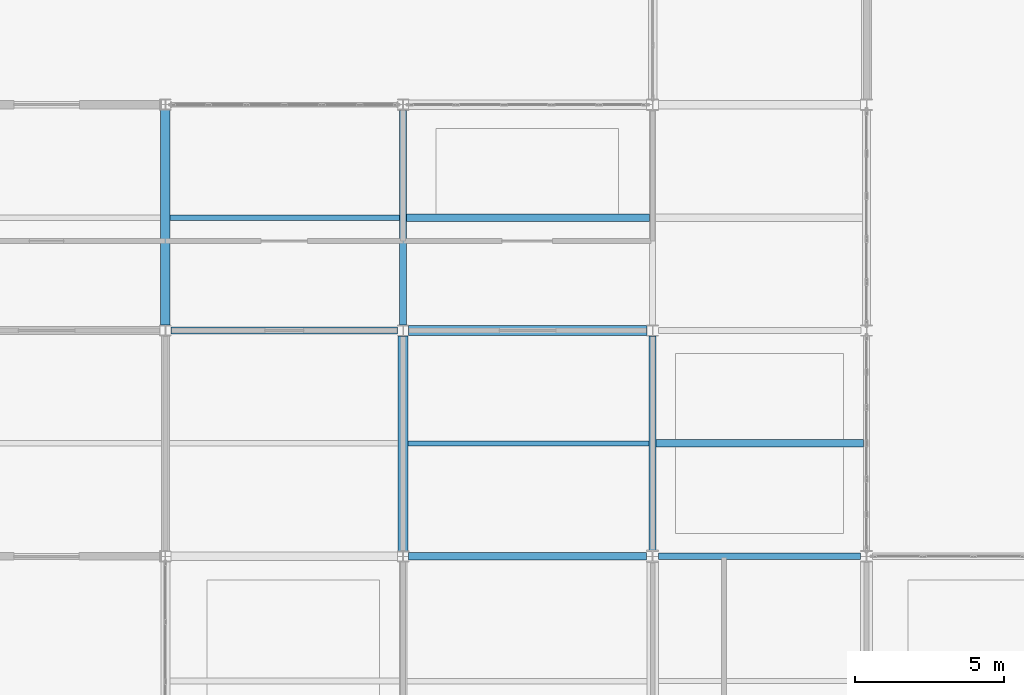
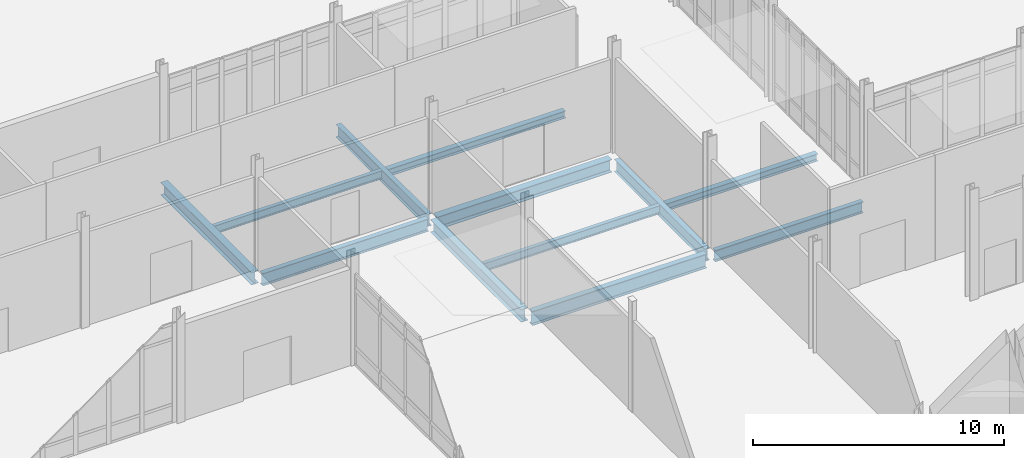
# One storey, part 63 of 229: 12 beams.
"""IFC4 building model written with IfcOpenShell, lengths in metres."""

from ifc_helpers import new_model, si_unit, direction, frame, origin, origin_2d, place, context, subcontext, project, spatial, i_section, extrude, material, material_profile, profile_set, type_object, element, save


model = new_model("IFC4")

# Units and contexts
model_context = context("Model", 3, precision=1e-05, world=origin(), true_north=direction((0.0, 1.0)))
body_context = subcontext(model_context, "Body", "Model", "MODEL_VIEW")
ifc_project = project(units=[si_unit("LENGTHUNIT", "METRE"), si_unit("AREAUNIT", "SQUARE_METRE"), si_unit("VOLUMEUNIT", "CUBIC_METRE"), si_unit("PLANEANGLEUNIT", "RADIAN"), si_unit("MASSUNIT", "GRAM", prefix="KILO")], contexts=[model_context])

# Site, building, storey
site_placement = place(None, origin())
site = spatial("IfcSite", under=ifc_project, at=site_placement, CompositionType="ELEMENT")
building_placement = place(site_placement, origin())
building = spatial("IfcBuilding", under=site, at=building_placement, Name="Calvrana Isthmian Art Gallery", CompositionType="ELEMENT")
storey_placement = place(building_placement, origin())
storey = spatial("IfcBuildingStorey", under=building, at=storey_placement, Name="L00", CompositionType="ELEMENT", Elevation=0.0)

# Beams
ifc_material = material(Name="Steel ASTM A992 Gr 50", Category="steel")
ifc_material_profile_1 = material_profile(ifc_material, i_section(OverallWidth=0.214111328125, OverallDepth=0.549072265625, WebThickness=0.0146484375, FlangeThickness=0.023681640625, FilletRadius=0.02099609375, at=origin_2d()), Name="W21X93")
ifc_profile_set_1 = profile_set([ifc_material_profile_1], Name="Steel ASTM A992 Gr 50")
beam_type_1 = type_object("IfcBeamType", Name="BM-G-W21X93", PredefinedType="BEAM", material=ifc_profile_set_1)
beam_1_placement = place(storey_placement, frame((113.001953125, 46.800048828125, -0.57958984375), z_axis=(1.0, 0.0, 0.0), x_axis=(0.0, 1.0, 0.0)))
element("IfcBeam", 1, at=beam_1_placement, inside=storey, type_object=beam_type_1, Name="Girder X L00 15-16/G", PredefinedType="BEAM", context=body_context, shape_type="SweptSolid", body=[
    extrude(i_section(OverallWidth=0.214111328125, OverallDepth=0.549072265625, WebThickness=0.0146484375, FlangeThickness=0.023681640625, FilletRadius=0.02099609375, at=origin_2d()), origin(), (0.0, 0.0, 1.0), 6.798583984375),
])
ifc_material_profile_2 = material_profile(ifc_material, i_section(OverallWidth=0.324951171875, OverallDepth=0.612060546875, WebThickness=0.0126953125, FlangeThickness=0.01904296875, FilletRadius=0.02197265625, at=origin_2d()), Name="W24X104")
ifc_profile_set_2 = profile_set([ifc_material_profile_2], Name="Steel ASTM A992 Gr 50")
beam_type_2 = type_object("IfcBeamType", Name="BM-G-W24X104", PredefinedType="BEAM", material=ifc_profile_set_2)
beam_2_placement = place(storey_placement, frame((96.39990234375, 54.58642578125, -0.591064453125), z_axis=(0.0, 1.0, 0.0), x_axis=(-1.0, 0.0, 0.0)))
element("IfcBeam", 2, at=beam_2_placement, inside=storey, type_object=beam_type_2, Name="Girder Y L00 13/H-I", PredefinedType="BEAM", context=body_context, shape_type="SweptSolid", body=[
    extrude(i_section(OverallWidth=0.324951171875, OverallDepth=0.612060546875, WebThickness=0.0126953125, FlangeThickness=0.01904296875, FilletRadius=0.02197265625, at=origin_2d()), origin(), (0.0, 0.0, 1.0), 7.235595703125),
])
beam_3_placement = place(storey_placement, frame((104.39990234375, 46.9814453125, -0.591064453125), z_axis=(0.0, 1.0, 0.0), x_axis=(-1.0, 0.0, 0.0)))
element("IfcBeam", 3, at=beam_3_placement, inside=storey, type_object=beam_type_2, Name="Girder Y L00 14/G-H", PredefinedType="BEAM", context=body_context, shape_type="SweptSolid", body=[
    extrude(i_section(OverallWidth=0.324951171875, OverallDepth=0.612060546875, WebThickness=0.0126953125, FlangeThickness=0.01904296875, FilletRadius=0.02197265625, at=origin_2d()), origin(), (0.0, 0.0, 1.0), 7.234619140625),
])
ifc_material_profile_3 = material_profile(ifc_material, i_section(OverallWidth=0.327880859375, OverallDepth=0.6220703125, WebThickness=0.015380859375, FlangeThickness=0.0244140625, FilletRadius=0.02197265625, at=origin_2d()), Name="W24X131")
ifc_profile_set_3 = profile_set([ifc_material_profile_3], Name="Steel ASTM A992 Gr 50")
beam_type_3 = type_object("IfcBeamType", Name="BM-G-W24X131", PredefinedType="BEAM", material=ifc_profile_set_3)
beam_4_placement = place(storey_placement, frame((104.58642578125, 54.39990234375, -0.615966796875), z_axis=(1.0, 0.0, 0.0), x_axis=(0.0, 1.0, 0.0)))
element("IfcBeam", 4, at=beam_4_placement, inside=storey, type_object=beam_type_3, Name="Girder X L00 14-15/H", PredefinedType="BEAM", context=body_context, shape_type="SweptSolid", body=[
    extrude(i_section(OverallWidth=0.327880859375, OverallDepth=0.6220703125, WebThickness=0.015380859375, FlangeThickness=0.0244140625, FilletRadius=0.02197265625, at=origin_2d()), origin(), (0.0, 0.0, 1.0), 8.0166015625),
])
ifc_material_profile_4 = material_profile(ifc_material, i_section(OverallWidth=0.22802734375, OverallDepth=0.60693359375, WebThickness=0.01123046875, FlangeThickness=0.017333984375, FilletRadius=0.02197265625, at=origin_2d()), Name="W24X76")
ifc_profile_set_4 = profile_set([ifc_material_profile_4], Name="Steel ASTM A992 Gr 50")
beam_type_4 = type_object("IfcBeamType", Name="BM-G-W24X76", PredefinedType="BEAM", material=ifc_profile_set_4)
beam_5_placement = place(storey_placement, frame((96.58642578125, 54.39990234375, -0.58837890625), z_axis=(1.0, 0.0, 0.0), x_axis=(0.0, 1.0, 0.0)))
element("IfcBeam", 5, at=beam_5_placement, inside=storey, type_object=beam_type_4, Name="Girder X L00 13-14/H", PredefinedType="BEAM", context=body_context, shape_type="SweptSolid", body=[
    extrude(i_section(OverallWidth=0.22802734375, OverallDepth=0.60693359375, WebThickness=0.01123046875, FlangeThickness=0.017333984375, FilletRadius=0.02197265625, at=origin_2d()), origin(), (0.0, 0.0, 1.0), 7.626953125),
])
beam_6_placement = place(storey_placement, frame((104.39990234375, 54.583984375, -0.58837890625), z_axis=(0.0, 1.0, 0.0), x_axis=(-1.0, 0.0, 0.0)))
element("IfcBeam", 6, at=beam_6_placement, inside=storey, type_object=beam_type_4, Name="Girder Y L00 14/H-I", PredefinedType="BEAM", context=body_context, shape_type="SweptSolid", body=[
    extrude(i_section(OverallWidth=0.22802734375, OverallDepth=0.60693359375, WebThickness=0.01123046875, FlangeThickness=0.017333984375, FilletRadius=0.02197265625, at=origin_2d()), origin(), (0.0, 0.0, 1.0), 7.2294921875),
])
beam_7_placement = place(storey_placement, frame((112.800048828125, 47.0029296875, -0.6083984375), z_axis=(0.0, 1.0, 0.0), x_axis=(-1.0, 0.0, 0.0)))
element("IfcBeam", 7, at=beam_7_placement, inside=storey, type_object=beam_type_4, Name="Girder Y L00 15/G-H", PredefinedType="BEAM", context=body_context, shape_type="SweptSolid", body=[
    extrude(i_section(OverallWidth=0.22802734375, OverallDepth=0.60693359375, WebThickness=0.01123046875, FlangeThickness=0.017333984375, FilletRadius=0.02197265625, at=origin_2d()), origin(), (0.0, 0.0, 1.0), 7.208984375),
])
ifc_material_profile_5 = material_profile(ifc_material, i_section(OverallWidth=0.257080078125, OverallDepth=0.693115234375, WebThickness=0.014404296875, FlangeThickness=0.023681640625, FilletRadius=0.02392578125, at=origin_2d()), Name="W27X114")
ifc_profile_set_5 = profile_set([ifc_material_profile_5], Name="Steel ASTM A992 Gr 50")
beam_type_5 = type_object("IfcBeamType", Name="BM-G-W27X114", PredefinedType="BEAM", material=ifc_profile_set_5)
beam_8_placement = place(storey_placement, frame((104.58544921875, 46.800048828125, -0.651611328125), z_axis=(1.0, 0.0, 0.0), x_axis=(0.0, 1.0, 0.0)))
element("IfcBeam", 8, at=beam_8_placement, inside=storey, type_object=beam_type_5, Name="Girder X L00 14-15/G", PredefinedType="BEAM", context=body_context, shape_type="SweptSolid", body=[
    extrude(i_section(OverallWidth=0.257080078125, OverallDepth=0.693115234375, WebThickness=0.014404296875, FlangeThickness=0.023681640625, FilletRadius=0.02392578125, at=origin_2d()), origin(), (0.0, 0.0, 1.0), 8.012451171875),
])
ifc_material_profile_6 = material_profile(ifc_material, i_section(OverallWidth=0.25390625, OverallDepth=0.35302734375, WebThickness=0.009521484375, FlangeThickness=0.016357421875, FilletRadius=0.01806640625, at=origin_2d()), Name="W14X61")
ifc_profile_set_6 = profile_set([ifc_material_profile_6], Name="Steel ASTM A992 Gr 50")
beam_type_6 = type_object("IfcBeamType", Name="BM-J-W14X61", PredefinedType="JOIST", material=ifc_profile_set_6)
beam_9_placement = place(storey_placement, frame((104.513916015625, 58.199951171875, -0.4814453125), z_axis=(1.0, 0.0, 0.0), x_axis=(0.0, 1.0, 0.0)))
element("IfcBeam", 9, at=beam_9_placement, inside=storey, type_object=beam_type_6, Name="Composite joist L00 bay 13-07", PredefinedType="JOIST", context=body_context, shape_type="SweptSolid", body=[
    extrude(i_section(OverallWidth=0.25390625, OverallDepth=0.35302734375, WebThickness=0.009521484375, FlangeThickness=0.016357421875, FilletRadius=0.01806640625, at=origin_2d()), origin(), (0.0, 0.0, 1.0), 8.181640625),
])
beam_10_placement = place(storey_placement, frame((112.9140625, 50.60009765625, -0.4814453125), z_axis=(1.0, 0.0, 0.0), x_axis=(0.0, 1.0, 0.0)))
element("IfcBeam", 10, at=beam_10_placement, inside=storey, type_object=beam_type_6, Name="Composite joist L00 bay 14-06", PredefinedType="JOIST", context=body_context, shape_type="SweptSolid", body=[
    extrude(i_section(OverallWidth=0.25390625, OverallDepth=0.35302734375, WebThickness=0.009521484375, FlangeThickness=0.016357421875, FilletRadius=0.01806640625, at=origin_2d()), origin(), (0.0, 0.0, 1.0), 6.9814453125),
])
ifc_material_profile_7 = material_profile(ifc_material, i_section(OverallWidth=0.177978515625, OverallDepth=0.404052734375, WebThickness=0.007568359375, FlangeThickness=0.010986328125, FilletRadius=0.01806640625, at=origin_2d()), Name="W16X36")
ifc_profile_set_7 = profile_set([ifc_material_profile_7], Name="Steel ASTM A992 Gr 50")
beam_type_7 = type_object("IfcBeamType", Name="BM-J-W16X36", PredefinedType="JOIST", material=ifc_profile_set_7)
beam_11_placement = place(storey_placement, frame((96.5625, 58.199951171875, -0.487060546875), z_axis=(1.0, 0.0, 0.0), x_axis=(0.0, 1.0, 0.0)))
element("IfcBeam", 11, at=beam_11_placement, inside=storey, type_object=beam_type_7, Name="Composite joist L00 bay 12-07", PredefinedType="JOIST", context=body_context, shape_type="SweptSolid", body=[
    extrude(i_section(OverallWidth=0.177978515625, OverallDepth=0.404052734375, WebThickness=0.007568359375, FlangeThickness=0.010986328125, FilletRadius=0.01806640625, at=origin_2d()), origin(), (0.0, 0.0, 1.0), 7.723388671875),
])
beam_12_placement = place(storey_placement, frame((104.5625, 50.60009765625, -0.507080078125), z_axis=(1.0, 0.0, 0.0), x_axis=(0.0, 1.0, 0.0)))
element("IfcBeam", 12, at=beam_12_placement, inside=storey, type_object=beam_type_7, Name="Composite joist L00 bay 13-06", PredefinedType="JOIST", context=body_context, shape_type="SweptSolid", body=[
    extrude(i_section(OverallWidth=0.177978515625, OverallDepth=0.404052734375, WebThickness=0.007568359375, FlangeThickness=0.010986328125, FilletRadius=0.01806640625, at=origin_2d()), origin(), (0.0, 0.0, 1.0), 8.12353515625),
])

save(model, "model.ifc")
